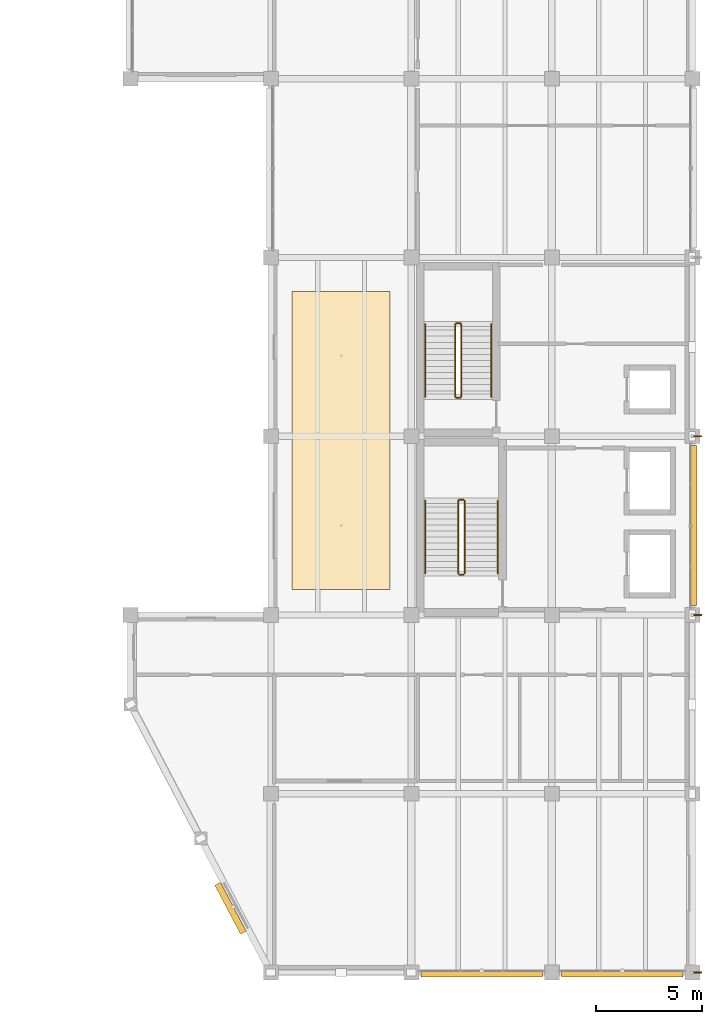
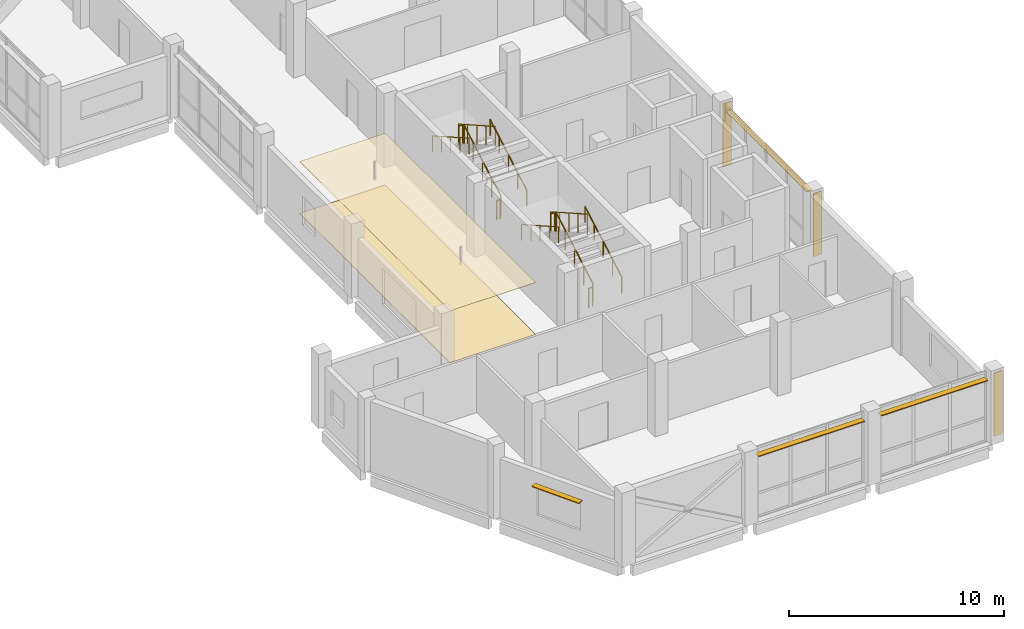
# One storey, part 45 of 47: 12 railings, 7 shading devices, 2 coverings.
"""IFC4 building model written with IfcOpenShell, lengths in metres."""

from ifc_helpers import new_model, si_unit, direction, frame, origin, origin_2d, place, context, subcontext, project, spatial, polyline, rectangle, circle, outline, extrude, material, layer, layer_set, type_object, element, save


model = new_model("IFC4")

# Units and contexts
model_context = context("Model", 3, precision=1e-05, world=origin(), true_north=direction((0.0, 1.0)))
body_context = subcontext(model_context, "Body", "Model", "MODEL_VIEW")
ifc_project = project(units=[si_unit("LENGTHUNIT", "METRE"), si_unit("AREAUNIT", "SQUARE_METRE"), si_unit("VOLUMEUNIT", "CUBIC_METRE"), si_unit("PLANEANGLEUNIT", "RADIAN"), si_unit("MASSUNIT", "GRAM", prefix="KILO")], contexts=[model_context])

# Site, building, storey
site_placement = place(None, origin())
site = spatial("IfcSite", under=ifc_project, at=site_placement, CompositionType="ELEMENT")
building_placement = place(site_placement, origin())
building = spatial("IfcBuilding", under=site, at=building_placement, Name="Qaldarim Faculty of Natural and Applied Sciences", CompositionType="ELEMENT")
storey_placement = place(building_placement, frame((0.0, 0.0, 22.800048828125)))
storey = spatial("IfcBuildingStorey", under=building, at=storey_placement, Name="L05", CompositionType="ELEMENT", Elevation=22.800048828125)

# Covering
ifc_material_1 = material(Name="Acoustic mineral fibre")
ifc_layer_1 = layer(ifc_material_1, 0.02001953125)
ifc_layer_set_1 = layer_set([ifc_layer_1], Name="Acoustic mineral fibre")
covering_type_1 = type_object("IfcCoveringType", Name="AcousticMineralCeiling-20", PredefinedType="CEILING", material=ifc_layer_set_1)
covering_1_placement = place(storey_placement, frame((0.0, 0.0, 2.949951171875)))
element("IfcCovering", 1, at=covering_1_placement, inside=storey, type_object=covering_type_1, Name="Acoustic corridor ceiling L05", PredefinedType="CEILING", context=body_context, shape_type="SweptSolid", body=[
    extrude(outline(polyline([(159.39990234375, 18.0), (164.0, 18.0), (164.0, 32.0), (159.39990234375, 32.0), (159.39990234375, 18.0)])), origin(), (0.0, 0.0, 1.0), 0.02001953125),
])

# Railings
ifc_material_2 = material(Name="Architectural stainless steel 316", Category="steel")
railing_type_1 = type_object("IfcRailingType", Name="GuardBalustrade-1100", PredefinedType="BALUSTRADE", material=ifc_material_2)
railing_1_placement = place(storey_placement, frame((167.5, 18.75, 0.159912109375)))
element("IfcRailing", 2, at=railing_1_placement, inside=storey, type_object=railing_type_1, Name="ST-A1 L05 stair well guard 1", PredefinedType="BALUSTRADE", context=body_context, shape_type="SweptSolid", body=[
    extrude(circle(Radius=0.02392578125, at=origin_2d()), frame((0.0, 0.0, 1.076171875), z_axis=(0.0, 0.869805479697, 0.493394798806), x_axis=(-1.0, 0.0, 0.0)), (0.0, 0.0, 1.0), 3.931884765625),
    extrude(circle(Radius=0.02099609375, at=origin_2d()), origin(), (0.0, 0.0, 1.0), 1.052001953125),
    extrude(circle(Radius=0.02099609375, at=origin_2d()), frame((0.0, 0.85498046875, 0.48486328125)), (0.0, 0.0, 1.0), 1.052001953125),
    extrude(circle(Radius=0.02099609375, at=origin_2d()), frame((0.0, 1.7099609375, 0.969970703125)), (0.0, 0.0, 1.0), 1.052001953125),
    extrude(circle(Radius=0.02099609375, at=origin_2d()), frame((0.0, 2.56494140625, 1.455078125)), (0.0, 0.0, 1.0), 1.052001953125),
    extrude(circle(Radius=0.02099609375, at=origin_2d()), frame((0.0, 3.419921875, 1.93994140625)), (0.0, 0.0, 1.0), 1.052001953125),
])
railing_2_placement = place(storey_placement, frame((167.449951171875, 22.219970703125, 2.099853515625)))
element("IfcRailing", 3, at=railing_2_placement, inside=storey, type_object=railing_type_1, Name="ST-A1 L05 stair well guard 2", PredefinedType="BALUSTRADE", context=body_context, shape_type="SweptSolid", body=[
    extrude(circle(Radius=0.02392578125, at=origin_2d()), frame((0.0, 0.0, 1.076171875), z_axis=(-1.0, 0.0, 0.0), x_axis=(0.0, -1.0, 0.0)), (0.0, 0.0, 1.0), 0.199951171875),
    extrude(circle(Radius=0.02099609375, at=origin_2d()), origin(), (0.0, 0.0, 1.0), 1.052001953125),
    extrude(circle(Radius=0.02099609375, at=origin_2d()), frame((-0.199951171875, 0.0, 0.0)), (0.0, 0.0, 1.0), 1.052001953125),
])
railing_3_placement = place(storey_placement, frame((167.199951171875, 22.169921875, 2.260009765625)))
element("IfcRailing", 4, at=railing_3_placement, inside=storey, type_object=railing_type_1, Name="ST-A1 L05 stair well guard 3", PredefinedType="BALUSTRADE", context=body_context, shape_type="SweptSolid", body=[
    extrude(circle(Radius=0.02392578125, at=origin_2d()), frame((0.0, 0.0, 1.076171875), z_axis=(0.0, -0.869805479697, 0.493394798806), x_axis=(1.0, 0.0, 0.0)), (0.0, 0.0, 1.0), 3.931884765625),
    extrude(circle(Radius=0.02099609375, at=origin_2d()), origin(), (0.0, 0.0, 1.0), 1.052001953125),
    extrude(circle(Radius=0.02099609375, at=origin_2d()), frame((0.0, -0.85498046875, 0.48486328125)), (0.0, 0.0, 1.0), 1.052001953125),
    extrude(circle(Radius=0.02099609375, at=origin_2d()), frame((0.0, -1.7099609375, 0.969970703125)), (0.0, 0.0, 1.0), 1.052001953125),
    extrude(circle(Radius=0.02099609375, at=origin_2d()), frame((0.0, -2.56494140625, 1.455078125)), (0.0, 0.0, 1.0), 1.052001953125),
    extrude(circle(Radius=0.02099609375, at=origin_2d()), frame((0.0, -3.419921875, 1.93994140625)), (0.0, 0.0, 1.0), 1.052001953125),
])
railing_4_placement = place(storey_placement, frame((167.449951171875, 18.699951171875, 0.0)))
element("IfcRailing", 5, at=railing_4_placement, inside=storey, type_object=railing_type_1, Name="ST-A1 L05 stair well guard 4", PredefinedType="BALUSTRADE", context=body_context, shape_type="SweptSolid", body=[
    extrude(circle(Radius=0.02392578125, at=origin_2d()), frame((0.0, 0.0, 1.076171875), z_axis=(-1.0, 0.0, 0.0), x_axis=(0.0, -1.0, 0.0)), (0.0, 0.0, 1.0), 0.199951171875),
    extrude(circle(Radius=0.02099609375, at=origin_2d()), origin(), (0.0, 0.0, 1.0), 1.052001953125),
    extrude(circle(Radius=0.02099609375, at=origin_2d()), frame((-0.199951171875, 0.0, 0.0)), (0.0, 0.0, 1.0), 1.052001953125),
])
railing_5_placement = place(storey_placement, frame((167.35009765625, 27.050048828125, 0.159912109375)))
element("IfcRailing", 6, at=railing_5_placement, inside=storey, type_object=railing_type_1, Name="ST-A2 L05 stair well guard 1", PredefinedType="BALUSTRADE", context=body_context, shape_type="SweptSolid", body=[
    extrude(circle(Radius=0.02392578125, at=origin_2d()), frame((0.0, 0.0, 1.076171875), z_axis=(0.0, 0.869805479697, 0.493394798806), x_axis=(-1.0, 0.0, 0.0)), (0.0, 0.0, 1.0), 3.931884765625),
    extrude(circle(Radius=0.02099609375, at=origin_2d()), origin(), (0.0, 0.0, 1.0), 1.052001953125),
    extrude(circle(Radius=0.02099609375, at=origin_2d()), frame((0.0, 0.85498046875, 0.48486328125)), (0.0, 0.0, 1.0), 1.052001953125),
    extrude(circle(Radius=0.02099609375, at=origin_2d()), frame((0.0, 1.7099609375, 0.969970703125)), (0.0, 0.0, 1.0), 1.052001953125),
    extrude(circle(Radius=0.02099609375, at=origin_2d()), frame((0.0, 2.56494140625, 1.455078125)), (0.0, 0.0, 1.0), 1.052001953125),
    extrude(circle(Radius=0.02099609375, at=origin_2d()), frame((0.0, 3.419921875, 1.93994140625)), (0.0, 0.0, 1.0), 1.052001953125),
])
railing_6_placement = place(storey_placement, frame((167.300048828125, 30.52001953125, 2.099853515625)))
element("IfcRailing", 7, at=railing_6_placement, inside=storey, type_object=railing_type_1, Name="ST-A2 L05 stair well guard 2", PredefinedType="BALUSTRADE", context=body_context, shape_type="SweptSolid", body=[
    extrude(circle(Radius=0.02392578125, at=origin_2d()), frame((0.0, 0.0, 1.076171875), z_axis=(-1.0, 0.0, 0.0), x_axis=(0.0, -1.0, 0.0)), (0.0, 0.0, 1.0), 0.199951171875),
    extrude(circle(Radius=0.02099609375, at=origin_2d()), origin(), (0.0, 0.0, 1.0), 1.052001953125),
    extrude(circle(Radius=0.02099609375, at=origin_2d()), frame((-0.199951171875, 0.0, 0.0)), (0.0, 0.0, 1.0), 1.052001953125),
])
railing_7_placement = place(storey_placement, frame((167.050048828125, 30.469970703125, 2.260009765625)))
element("IfcRailing", 8, at=railing_7_placement, inside=storey, type_object=railing_type_1, Name="ST-A2 L05 stair well guard 3", PredefinedType="BALUSTRADE", context=body_context, shape_type="SweptSolid", body=[
    extrude(circle(Radius=0.02392578125, at=origin_2d()), frame((0.0, 0.0, 1.076171875), z_axis=(0.0, -0.869805479697, 0.493394798806), x_axis=(1.0, 0.0, 0.0)), (0.0, 0.0, 1.0), 3.931884765625),
    extrude(circle(Radius=0.02099609375, at=origin_2d()), origin(), (0.0, 0.0, 1.0), 1.052001953125),
    extrude(circle(Radius=0.02099609375, at=origin_2d()), frame((0.0, -0.85498046875, 0.48486328125)), (0.0, 0.0, 1.0), 1.052001953125),
    extrude(circle(Radius=0.02099609375, at=origin_2d()), frame((0.0, -1.7099609375, 0.969970703125)), (0.0, 0.0, 1.0), 1.052001953125),
    extrude(circle(Radius=0.02099609375, at=origin_2d()), frame((0.0, -2.56494140625, 1.455078125)), (0.0, 0.0, 1.0), 1.052001953125),
    extrude(circle(Radius=0.02099609375, at=origin_2d()), frame((0.0, -3.419921875, 1.93994140625)), (0.0, 0.0, 1.0), 1.052001953125),
])
railing_8_placement = place(storey_placement, frame((167.300048828125, 27.0, 0.0)))
element("IfcRailing", 9, at=railing_8_placement, inside=storey, type_object=railing_type_1, Name="ST-A2 L05 stair well guard 4", PredefinedType="BALUSTRADE", context=body_context, shape_type="SweptSolid", body=[
    extrude(circle(Radius=0.02392578125, at=origin_2d()), frame((0.0, 0.0, 1.076171875), z_axis=(-1.0, 0.0, 0.0), x_axis=(0.0, -1.0, 0.0)), (0.0, 0.0, 1.0), 0.199951171875),
    extrude(circle(Radius=0.02099609375, at=origin_2d()), origin(), (0.0, 0.0, 1.0), 1.052001953125),
    extrude(circle(Radius=0.02099609375, at=origin_2d()), frame((-0.199951171875, 0.0, 0.0)), (0.0, 0.0, 1.0), 1.052001953125),
])

# Shading devices
ifc_material_3 = material(Name="Champagne anodised aluminium AW-6063", Category="aluminium")
ifc_layer_2 = layer(ifc_material_3, 0.050048828125)
ifc_layer_set_2 = layer_set([ifc_layer_2], Name="Champagne anodised aluminium AW-6063")
shading_device_type_1 = type_object("IfcShadingDeviceType", Name="SolarLouvre-ALU300x50", PredefinedType="JALOUSIE", material=ifc_layer_set_2)
for number, where, z_axis, x_axis, name in (
    (10, (168.300048828125, -0.070068359375, 3.60498046875), (0.0, 0.0, 1.0), (1.0, 0.0, 0.0), "Horizontal solar louvre L05 S X26Y01"),
    (11, (174.89990234375, -0.070068359375, 3.60498046875), (0.0, 0.0, 1.0), (1.0, 0.0, 0.0), "Horizontal solar louvre L05 S X27Y01"),
):
    element("IfcShadingDevice", number, at=place(storey_placement, frame(where, z_axis=z_axis, x_axis=x_axis)), inside=storey, type_object=shading_device_type_1, Name=name, PredefinedType="JALOUSIE", context=body_context, shape_type="SweptSolid", body=[
        extrude(rectangle(XDim=5.7099609375, YDim=0.300048828125, at=origin_2d()), origin(), (0.0, 0.0, 1.0), 0.050048828125),
    ])
shading_device_1_placement = place(storey_placement, frame((178.27001953125, 21.0, 3.60498046875), z_axis=(0.0, 0.0, 1.0), x_axis=(0.0, 1.0, 0.0)))
element("IfcShadingDevice", 12, at=shading_device_1_placement, inside=storey, type_object=shading_device_type_1, Name="Horizontal solar louvre L05 E X27Y03", PredefinedType="JALOUSIE", context=body_context, shape_type="SweptSolid", body=[
    extrude(rectangle(XDim=7.510009765625, YDim=0.300048828125, at=origin_2d()), origin(), (0.0, 0.0, 1.0), 0.050048828125),
])
shading_device_2_placement = place(storey_placement, frame((156.5, 3.02001953125, 2.6748046875), z_axis=(0.0, 0.0, 1.0), x_axis=(0.46447113214, -0.885588260654, 0.0)))
element("IfcShadingDevice", 13, at=shading_device_2_placement, inside=storey, type_object=shading_device_type_1, Name="Oblique facade horizontal solar louvre SHD-OBL-SW-L05-2", PredefinedType="JALOUSIE", context=body_context, shape_type="SweptSolid", body=[
    extrude(rectangle(XDim=2.60009765625, YDim=0.300048828125, at=origin_2d()), origin(), (0.0, 0.0, 1.0), 0.050048828125),
])

# Railings
railing_type_2 = type_object("IfcRailingType", Name="StairHandrail-920", PredefinedType="HANDRAIL", material=ifc_material_2)
railing_9_placement = place(storey_placement, frame((169.050048828125, 18.75, 0.159912109375)))
element("IfcRailing", 14, at=railing_9_placement, inside=storey, type_object=railing_type_2, Name="ST-A1 L05 stair handrail 1", PredefinedType="HANDRAIL", context=body_context, shape_type="SweptSolid", body=[
    extrude(circle(Radius=0.02392578125, at=origin_2d()), frame((0.0, 0.0, 0.89599609375), z_axis=(0.0, 0.869805479697, 0.493394798806), x_axis=(-1.0, 0.0, 0.0)), (0.0, 0.0, 1.0), 3.931884765625),
    extrude(circle(Radius=0.02099609375, at=origin_2d()), origin(), (0.0, 0.0, 1.0), 0.871826171875),
    extrude(circle(Radius=0.02099609375, at=origin_2d()), frame((0.0, 0.85498046875, 0.48486328125)), (0.0, 0.0, 1.0), 0.871826171875),
    extrude(circle(Radius=0.02099609375, at=origin_2d()), frame((0.0, 1.7099609375, 0.969970703125)), (0.0, 0.0, 1.0), 0.871826171875),
    extrude(circle(Radius=0.02099609375, at=origin_2d()), frame((0.0, 2.56494140625, 1.455078125)), (0.0, 0.0, 1.0), 0.871826171875),
    extrude(circle(Radius=0.02099609375, at=origin_2d()), frame((0.0, 3.419921875, 1.93994140625)), (0.0, 0.0, 1.0), 0.871826171875),
])
railing_10_placement = place(storey_placement, frame((165.64990234375, 22.169921875, 2.260009765625)))
element("IfcRailing", 15, at=railing_10_placement, inside=storey, type_object=railing_type_2, Name="ST-A1 L05 stair handrail 2", PredefinedType="HANDRAIL", context=body_context, shape_type="SweptSolid", body=[
    extrude(circle(Radius=0.02392578125, at=origin_2d()), frame((0.0, 0.0, 0.89599609375), z_axis=(0.0, -0.869805479697, 0.493394798806), x_axis=(1.0, 0.0, 0.0)), (0.0, 0.0, 1.0), 3.931884765625),
    extrude(circle(Radius=0.02099609375, at=origin_2d()), origin(), (0.0, 0.0, 1.0), 0.871826171875),
    extrude(circle(Radius=0.02099609375, at=origin_2d()), frame((0.0, -0.85498046875, 0.48486328125)), (0.0, 0.0, 1.0), 0.871826171875),
    extrude(circle(Radius=0.02099609375, at=origin_2d()), frame((0.0, -1.7099609375, 0.969970703125)), (0.0, 0.0, 1.0), 0.871826171875),
    extrude(circle(Radius=0.02099609375, at=origin_2d()), frame((0.0, -2.56494140625, 1.455078125)), (0.0, 0.0, 1.0), 0.871826171875),
    extrude(circle(Radius=0.02099609375, at=origin_2d()), frame((0.0, -3.419921875, 1.93994140625)), (0.0, 0.0, 1.0), 0.871826171875),
])
railing_11_placement = place(storey_placement, frame((168.75, 27.050048828125, 0.159912109375)))
element("IfcRailing", 16, at=railing_11_placement, inside=storey, type_object=railing_type_2, Name="ST-A2 L05 stair handrail 1", PredefinedType="HANDRAIL", context=body_context, shape_type="SweptSolid", body=[
    extrude(circle(Radius=0.02392578125, at=origin_2d()), frame((0.0, 0.0, 0.89599609375), z_axis=(0.0, 0.869805479697, 0.493394798806), x_axis=(-1.0, 0.0, 0.0)), (0.0, 0.0, 1.0), 3.931884765625),
    extrude(circle(Radius=0.02099609375, at=origin_2d()), origin(), (0.0, 0.0, 1.0), 0.871826171875),
    extrude(circle(Radius=0.02099609375, at=origin_2d()), frame((0.0, 0.85498046875, 0.48486328125)), (0.0, 0.0, 1.0), 0.871826171875),
    extrude(circle(Radius=0.02099609375, at=origin_2d()), frame((0.0, 1.7099609375, 0.969970703125)), (0.0, 0.0, 1.0), 0.871826171875),
    extrude(circle(Radius=0.02099609375, at=origin_2d()), frame((0.0, 2.56494140625, 1.455078125)), (0.0, 0.0, 1.0), 0.871826171875),
    extrude(circle(Radius=0.02099609375, at=origin_2d()), frame((0.0, 3.419921875, 1.93994140625)), (0.0, 0.0, 1.0), 0.871826171875),
])
railing_12_placement = place(storey_placement, frame((165.64990234375, 30.469970703125, 2.260009765625)))
element("IfcRailing", 17, at=railing_12_placement, inside=storey, type_object=railing_type_2, Name="ST-A2 L05 stair handrail 2", PredefinedType="HANDRAIL", context=body_context, shape_type="SweptSolid", body=[
    extrude(circle(Radius=0.02392578125, at=origin_2d()), frame((0.0, 0.0, 0.89599609375), z_axis=(0.0, -0.869805479697, 0.493394798806), x_axis=(1.0, 0.0, 0.0)), (0.0, 0.0, 1.0), 3.931884765625),
    extrude(circle(Radius=0.02099609375, at=origin_2d()), origin(), (0.0, 0.0, 1.0), 0.871826171875),
    extrude(circle(Radius=0.02099609375, at=origin_2d()), frame((0.0, -0.85498046875, 0.48486328125)), (0.0, 0.0, 1.0), 0.871826171875),
    extrude(circle(Radius=0.02099609375, at=origin_2d()), frame((0.0, -1.7099609375, 0.969970703125)), (0.0, 0.0, 1.0), 0.871826171875),
    extrude(circle(Radius=0.02099609375, at=origin_2d()), frame((0.0, -2.56494140625, 1.455078125)), (0.0, 0.0, 1.0), 0.871826171875),
    extrude(circle(Radius=0.02099609375, at=origin_2d()), frame((0.0, -3.419921875, 1.93994140625)), (0.0, 0.0, 1.0), 0.871826171875),
])

# Covering
ifc_material_4 = material(Name="Terrazzo stone finish", Category="masonry")
ifc_layer_3 = layer(ifc_material_4, 0.02490234375)
ifc_layer_set_3 = layer_set([ifc_layer_3], Name="Terrazzo stone finish")
covering_type_2 = type_object("IfcCoveringType", Name="TerrazzoFlooring-25", PredefinedType="FLOORING", material=ifc_layer_set_3)
covering_2_placement = place(storey_placement, origin())
element("IfcCovering", 18, at=covering_2_placement, inside=storey, type_object=covering_type_2, Name="Polished terrazzo corridor flooring L05", PredefinedType="FLOORING", context=body_context, shape_type="SweptSolid", body=[
    extrude(outline(polyline([(159.39990234375, 18.0), (164.0, 18.0), (164.0, 32.0), (159.39990234375, 32.0), (159.39990234375, 18.0)])), origin(), (0.0, 0.0, 1.0), 0.02490234375),
])

# Shading devices
ifc_layer_4 = layer(ifc_material_3, 0.06005859375)
ifc_layer_set_4 = layer_set([ifc_layer_4], Name="Champagne anodised aluminium AW-6063")
shading_device_type_2 = type_object("IfcShadingDeviceType", Name="VerticalSunFin-ALU450x60", PredefinedType="SHUTTER", material=ifc_layer_set_4)
for number, where, z_axis, x_axis, name in (
    (19, (178.425048828125, 0.0, 0.199951171875), (0.0, 0.0, 1.0), (1.0, 0.0, 0.0), "Tower solar fin FIN-V5E-L05-Y01"),
    (20, (178.425048828125, 16.800048828125, 0.199951171875), (0.0, 0.0, 1.0), (1.0, 0.0, 0.0), "Tower solar fin FIN-V5E-L05-Y03"),
    (21, (178.425048828125, 25.199951171875, 0.199951171875), (0.0, 0.0, 1.0), (1.0, 0.0, 0.0), "Tower solar fin FIN-V5E-L05-Y04"),
):
    element("IfcShadingDevice", number, at=place(storey_placement, frame(where, z_axis=z_axis, x_axis=x_axis)), inside=storey, type_object=shading_device_type_2, Name=name, PredefinedType="SHUTTER", context=body_context, shape_type="SweptSolid", body=[
        extrude(rectangle(XDim=0.449951171875, YDim=0.06005859375, at=origin_2d()), origin(), (0.0, 0.0, 1.0), 3.580078125),
    ])

save(model, "model.ifc")
